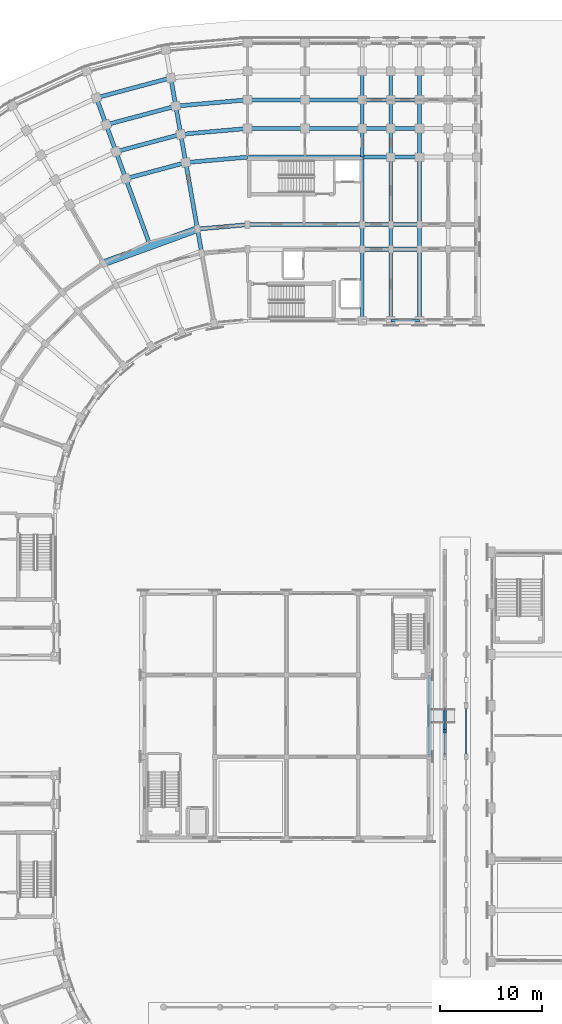
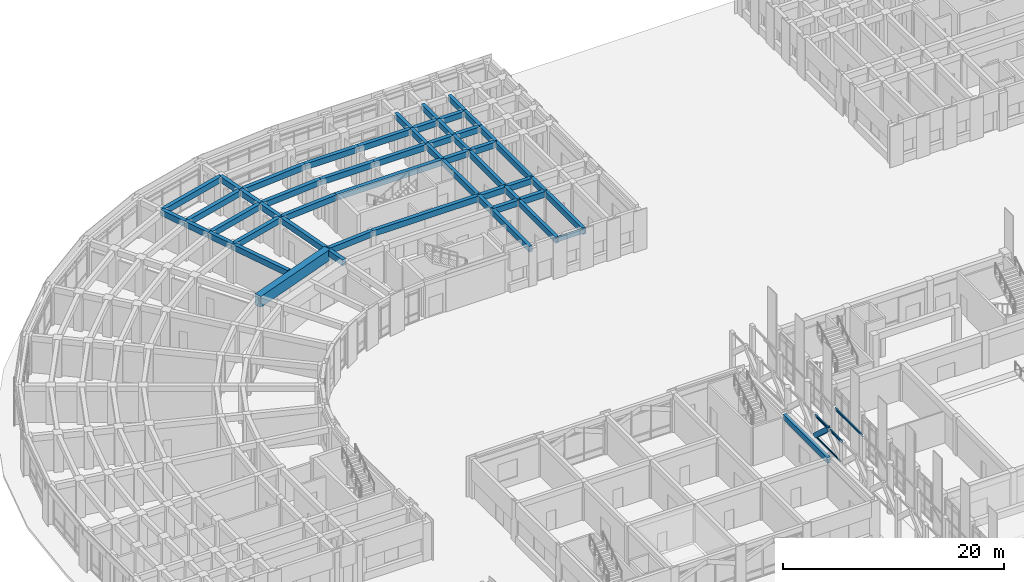
# One storey, part 41 of 135: 57 beams, 1 member.
"""IFC4 building model written with IfcOpenShell, lengths in metres."""

from ifc_helpers import new_model, si_unit, direction, frame, origin, origin_2d, place, context, subcontext, project, spatial, rectangle, hollow_circle, i_section, extrude, material, material_profile, profile_set, type_object, element, save


model = new_model("IFC4")

# Units and contexts
model_context = context("Model", 3, precision=1e-05, world=origin(), true_north=direction((0.0, 1.0)))
body_context = subcontext(model_context, "Body", "Model", "MODEL_VIEW")
ifc_project = project(units=[si_unit("LENGTHUNIT", "METRE"), si_unit("AREAUNIT", "SQUARE_METRE"), si_unit("VOLUMEUNIT", "CUBIC_METRE"), si_unit("PLANEANGLEUNIT", "RADIAN"), si_unit("MASSUNIT", "GRAM", prefix="KILO")], contexts=[model_context])

# Site, building, storey
site_placement = place(None, origin())
site = spatial("IfcSite", under=ifc_project, at=site_placement, CompositionType="ELEMENT")
building_placement = place(site_placement, origin())
building = spatial("IfcBuilding", under=site, at=building_placement, Name="Kiranvali Square Residences", CompositionType="ELEMENT")
storey_placement = place(building_placement, origin())
storey = spatial("IfcBuildingStorey", under=building, at=storey_placement, Name="L00", CompositionType="ELEMENT", Elevation=0.0)

# Beams
ifc_material_1 = material(Name="Concrete M40 (40 MPa)", Category="concrete")
ifc_material_profile_1 = material_profile(ifc_material_1, rectangle(XDim=0.35009765625, YDim=0.5, at=origin_2d()), Name="RC 350x500")
ifc_profile_set_1 = profile_set([ifc_material_profile_1], Name="Concrete M40 (40 MPa)")
beam_type_1 = type_object("IfcBeamType", Name="AR-M40-350x500", PredefinedType="USERDEFINED", material=ifc_profile_set_1)
beam_1_placement = place(storey_placement, frame((67.449951171875, 66.5, 5.4599609375), z_axis=(0.0, 0.736401324674, -0.676544964521), x_axis=(-1.0, 0.0, 0.0)))
element("IfcBeam", 1, at=beam_1_placement, inside=storey, type_object=beam_type_1, Name="Classical pointed Ottoman arch rib ARCH-ARC-GDN-W-05.2", ObjectType="ARCH RIB", PredefinedType="USERDEFINED", context=body_context, shape_type="SweptSolid", body=[
    extrude(rectangle(XDim=0.35009765625, YDim=0.5, at=origin_2d()), origin(), (0.0, 0.0, 1.0), 3.340576171875),
])
ifc_material_profile_2 = material_profile(ifc_material_1, rectangle(XDim=0.35009765625, YDim=0.60009765625, at=origin_2d()), Name="RC 350x600")
ifc_profile_set_2 = profile_set([ifc_material_profile_2], Name="Concrete M40 (40 MPa)")
beam_type_2 = type_object("IfcBeamType", Name="BM-M40-350x600", PredefinedType="BEAM", material=ifc_profile_set_2)
beam_2_placement = place(storey_placement, frame((66.0, 64.0, 3.97998046875), z_axis=(0.0, 1.0, 0.0), x_axis=(-1.0, 0.0, 0.0)))
element("IfcBeam", 2, at=beam_2_placement, inside=storey, type_object=beam_type_2, Name="L00 beam BM-NR-L00-Y4-1", PredefinedType="BEAM", context=body_context, shape_type="SweptSolid", body=[
    extrude(rectangle(XDim=0.35009765625, YDim=0.60009765625, at=origin_2d()), origin(), (0.0, 0.0, 1.0), 8.0),
])
ifc_material_profile_3 = material_profile(ifc_material_1, rectangle(XDim=0.35009765625, YDim=0.64990234375, at=origin_2d()), Name="RC 350x650")
ifc_profile_set_3 = profile_set([ifc_material_profile_3], Name="Concrete M40 (40 MPa)")
beam_type_3 = type_object("IfcBeamType", Name="BM-M40-350x650", PredefinedType="BEAM", material=ifc_profile_set_3)
beam_3_placement = place(storey_placement, frame((59.39990234375, 106.60009765625, 3.824951171875), z_axis=(0.0, 1.0, 0.0), x_axis=(-1.0, 0.0, 0.0)))
element("IfcBeam", 3, at=beam_3_placement, inside=storey, type_object=beam_type_3, Name="L00 beam BM-A-L00-A1T1-01", PredefinedType="BEAM", context=body_context, shape_type="SweptSolid", body=[
    extrude(rectangle(XDim=0.35009765625, YDim=0.64990234375, at=origin_2d()), origin(), (0.0, 0.0, 1.0), 7.0),
])
beam_4_placement = place(storey_placement, frame((59.39990234375, 113.60009765625, 3.824951171875), z_axis=(0.0, 1.0, 0.0), x_axis=(-1.0, 0.0, 0.0)))
element("IfcBeam", 4, at=beam_4_placement, inside=storey, type_object=beam_type_3, Name="L00 beam BM-A-L00-A1T1-12", PredefinedType="BEAM", context=body_context, shape_type="SweptSolid", body=[
    extrude(rectangle(XDim=0.35009765625, YDim=0.64990234375, at=origin_2d()), origin(), (0.0, 0.0, 1.0), 2.39990234375),
])
beam_5_placement = place(storey_placement, frame((59.39990234375, 116.0, 3.824951171875), z_axis=(0.0, 1.0, 0.0), x_axis=(-1.0, 0.0, 0.0)))
element("IfcBeam", 5, at=beam_5_placement, inside=storey, type_object=beam_type_3, Name="L00 beam BM-A-L00-A1T1-23", PredefinedType="BEAM", context=body_context, shape_type="SweptSolid", body=[
    extrude(rectangle(XDim=0.35009765625, YDim=0.64990234375, at=origin_2d()), origin(), (0.0, 0.0, 1.0), 6.60009765625),
])
beam_6_placement = place(storey_placement, frame((59.39990234375, 122.60009765625, 3.824951171875), z_axis=(0.0, 1.0, 0.0), x_axis=(-1.0, 0.0, 0.0)))
element("IfcBeam", 6, at=beam_6_placement, inside=storey, type_object=beam_type_3, Name="L00 beam BM-A-L00-A1T1-34", PredefinedType="BEAM", context=body_context, shape_type="SweptSolid", body=[
    extrude(rectangle(XDim=0.35009765625, YDim=0.64990234375, at=origin_2d()), origin(), (0.0, 0.0, 1.0), 2.7998046875),
])
for number, where, z_axis, x_axis, name in (
    (7, (59.39990234375, 125.39990234375, 3.824951171875), (0.0, 1.0, 0.0), (-1.0, 0.0, 0.0), "L00 beam BM-A-L00-A1T1-45"),
    (8, (59.39990234375, 128.199951171875, 3.824951171875), (0.0, 1.0, 0.0), (-1.0, 0.0, 0.0), "L00 beam BM-A-L00-A1T1-56"),
):
    element("IfcBeam", number, at=place(storey_placement, frame(where, z_axis=z_axis, x_axis=x_axis)), inside=storey, type_object=beam_type_3, Name=name, PredefinedType="BEAM", context=body_context, shape_type="SweptSolid", body=[
        extrude(rectangle(XDim=0.35009765625, YDim=0.64990234375, at=origin_2d()), origin(), (0.0, 0.0, 1.0), 2.800048828125),
    ])
beam_7_placement = place(storey_placement, frame((62.199951171875, 106.60009765625, 3.824951171875), z_axis=(0.0, 1.0, 0.0), x_axis=(-1.0, 0.0, 0.0)))
element("IfcBeam", 9, at=beam_7_placement, inside=storey, type_object=beam_type_3, Name="L00 beam BM-A-L00-A1T2-01", PredefinedType="BEAM", context=body_context, shape_type="SweptSolid", body=[
    extrude(rectangle(XDim=0.35009765625, YDim=0.64990234375, at=origin_2d()), origin(), (0.0, 0.0, 1.0), 7.0),
])
beam_8_placement = place(storey_placement, frame((62.199951171875, 113.60009765625, 3.824951171875), z_axis=(0.0, 1.0, 0.0), x_axis=(-1.0, 0.0, 0.0)))
element("IfcBeam", 10, at=beam_8_placement, inside=storey, type_object=beam_type_3, Name="L00 beam BM-A-L00-A1T2-12", PredefinedType="BEAM", context=body_context, shape_type="SweptSolid", body=[
    extrude(rectangle(XDim=0.35009765625, YDim=0.64990234375, at=origin_2d()), origin(), (0.0, 0.0, 1.0), 2.39990234375),
])
beam_9_placement = place(storey_placement, frame((62.199951171875, 116.0, 3.824951171875), z_axis=(0.0, 1.0, 0.0), x_axis=(-1.0, 0.0, 0.0)))
element("IfcBeam", 11, at=beam_9_placement, inside=storey, type_object=beam_type_3, Name="L00 beam BM-A-L00-A1T2-23", PredefinedType="BEAM", context=body_context, shape_type="SweptSolid", body=[
    extrude(rectangle(XDim=0.35009765625, YDim=0.64990234375, at=origin_2d()), origin(), (0.0, 0.0, 1.0), 6.60009765625),
])
beam_10_placement = place(storey_placement, frame((62.199951171875, 122.60009765625, 3.824951171875), z_axis=(0.0, 1.0, 0.0), x_axis=(-1.0, 0.0, 0.0)))
element("IfcBeam", 12, at=beam_10_placement, inside=storey, type_object=beam_type_3, Name="L00 beam BM-A-L00-A1T2-34", PredefinedType="BEAM", context=body_context, shape_type="SweptSolid", body=[
    extrude(rectangle(XDim=0.35009765625, YDim=0.64990234375, at=origin_2d()), origin(), (0.0, 0.0, 1.0), 2.7998046875),
])
for number, where, z_axis, x_axis, name in (
    (13, (62.199951171875, 125.39990234375, 3.824951171875), (0.0, 1.0, 0.0), (-1.0, 0.0, 0.0), "L00 beam BM-A-L00-A1T2-45"),
    (14, (62.199951171875, 128.199951171875, 3.824951171875), (0.0, 1.0, 0.0), (-1.0, 0.0, 0.0), "L00 beam BM-A-L00-A1T2-56"),
):
    element("IfcBeam", number, at=place(storey_placement, frame(where, z_axis=z_axis, x_axis=x_axis)), inside=storey, type_object=beam_type_3, Name=name, PredefinedType="BEAM", context=body_context, shape_type="SweptSolid", body=[
        extrude(rectangle(XDim=0.35009765625, YDim=0.64990234375, at=origin_2d()), origin(), (0.0, 0.0, 1.0), 2.800048828125),
    ])
beam_11_placement = place(storey_placement, frame((65.0, 106.60009765625, 3.824951171875), z_axis=(0.0, 1.0, 0.0), x_axis=(-1.0, 0.0, 0.0)))
element("IfcBeam", 15, at=beam_11_placement, inside=storey, type_object=beam_type_3, Name="L00 beam BM-A-L00-A1T3-01", PredefinedType="BEAM", context=body_context, shape_type="SweptSolid", body=[
    extrude(rectangle(XDim=0.35009765625, YDim=0.64990234375, at=origin_2d()), origin(), (0.0, 0.0, 1.0), 7.0),
])
beam_12_placement = place(storey_placement, frame((65.0, 113.60009765625, 3.824951171875), z_axis=(0.0, 1.0, 0.0), x_axis=(-1.0, 0.0, 0.0)))
element("IfcBeam", 16, at=beam_12_placement, inside=storey, type_object=beam_type_3, Name="L00 beam BM-A-L00-A1T3-12", PredefinedType="BEAM", context=body_context, shape_type="SweptSolid", body=[
    extrude(rectangle(XDim=0.35009765625, YDim=0.64990234375, at=origin_2d()), origin(), (0.0, 0.0, 1.0), 2.39990234375),
])
beam_13_placement = place(storey_placement, frame((65.0, 116.0, 3.824951171875), z_axis=(0.0, 1.0, 0.0), x_axis=(-1.0, 0.0, 0.0)))
element("IfcBeam", 17, at=beam_13_placement, inside=storey, type_object=beam_type_3, Name="L00 beam BM-A-L00-A1T3-23", PredefinedType="BEAM", context=body_context, shape_type="SweptSolid", body=[
    extrude(rectangle(XDim=0.35009765625, YDim=0.64990234375, at=origin_2d()), origin(), (0.0, 0.0, 1.0), 6.60009765625),
])
beam_14_placement = place(storey_placement, frame((65.0, 122.60009765625, 3.824951171875), z_axis=(0.0, 1.0, 0.0), x_axis=(-1.0, 0.0, 0.0)))
element("IfcBeam", 18, at=beam_14_placement, inside=storey, type_object=beam_type_3, Name="L00 beam BM-A-L00-A1T3-34", PredefinedType="BEAM", context=body_context, shape_type="SweptSolid", body=[
    extrude(rectangle(XDim=0.35009765625, YDim=0.64990234375, at=origin_2d()), origin(), (0.0, 0.0, 1.0), 2.7998046875),
])
for number, where, z_axis, x_axis, name in (
    (19, (65.0, 125.39990234375, 3.824951171875), (0.0, 1.0, 0.0), (-1.0, 0.0, 0.0), "L00 beam BM-A-L00-A1T3-45"),
    (20, (65.0, 128.199951171875, 3.824951171875), (0.0, 1.0, 0.0), (-1.0, 0.0, 0.0), "L00 beam BM-A-L00-A1T3-56"),
):
    element("IfcBeam", number, at=place(storey_placement, frame(where, z_axis=z_axis, x_axis=x_axis)), inside=storey, type_object=beam_type_3, Name=name, PredefinedType="BEAM", context=body_context, shape_type="SweptSolid", body=[
        extrude(rectangle(XDim=0.35009765625, YDim=0.64990234375, at=origin_2d()), origin(), (0.0, 0.0, 1.0), 2.800048828125),
    ])
ifc_material_2 = material(Name="Concrete M45 (45 MPa)", Category="concrete")
ifc_material_profile_4 = material_profile(ifc_material_2, rectangle(XDim=0.39990234375, YDim=0.64990234375, at=origin_2d()), Name="RC 400x650")
ifc_profile_set_4 = profile_set([ifc_material_profile_4], Name="Concrete M45 (45 MPa)")
beam_type_4 = type_object("IfcBeamType", Name="BM-M45-400x650", PredefinedType="BEAM", material=ifc_profile_set_4)
beam_15_placement = place(storey_placement, frame((48.199951171875, 116.0, 3.824951171875), z_axis=(-0.996193663584, -0.087167566415, 0.0), x_axis=(0.087167566415, -0.996193663584, 0.0)))
element("IfcBeam", 21, at=beam_15_placement, inside=storey, type_object=beam_type_4, Name="L00 beam BM-A-L00-C00-R2", PredefinedType="BEAM", context=body_context, shape_type="SweptSolid", body=[
    extrude(rectangle(XDim=0.39990234375, YDim=0.64990234375, at=origin_2d()), origin(), (0.0, 0.0, 1.0), 4.91552734375),
])
beam_16_placement = place(storey_placement, frame((48.199951171875, 122.60009765625, 3.824951171875), z_axis=(-0.996193018494, -0.087174938512, 0.0), x_axis=(0.087174938512, -0.996193018494, 0.0)))
element("IfcBeam", 22, at=beam_16_placement, inside=storey, type_object=beam_type_4, Name="L00 beam BM-A-L00-C00-R3", PredefinedType="BEAM", context=body_context, shape_type="SweptSolid", body=[
    extrude(rectangle(XDim=0.39990234375, YDim=0.64990234375, at=origin_2d()), origin(), (0.0, 0.0, 1.0), 6.066162109375),
])
beam_17_placement = place(storey_placement, frame((48.199951171875, 125.39990234375, 3.824951171875), z_axis=(-0.996196991902, -0.0871295204, 0.0), x_axis=(0.0871295204, -0.996196991902, 0.0)))
element("IfcBeam", 23, at=beam_17_placement, inside=storey, type_object=beam_type_4, Name="L00 beam BM-A-L00-C00-R4", PredefinedType="BEAM", context=body_context, shape_type="SweptSolid", body=[
    extrude(rectangle(XDim=0.39990234375, YDim=0.64990234375, at=origin_2d()), origin(), (0.0, 0.0, 1.0), 6.553955078125),
])
beam_18_placement = place(storey_placement, frame((48.199951171875, 128.199951171875, 3.824951171875), z_axis=(-0.996194658198, -0.087156198737, 0.0), x_axis=(0.087156198737, -0.996194658198, 0.0)))
element("IfcBeam", 24, at=beam_18_placement, inside=storey, type_object=beam_type_4, Name="L00 beam BM-A-L00-C00-R5", PredefinedType="BEAM", context=body_context, shape_type="SweptSolid", body=[
    extrude(rectangle(XDim=0.39990234375, YDim=0.64990234375, at=origin_2d()), origin(), (0.0, 0.0, 1.0), 7.042236328125),
])
beam_19_placement = place(storey_placement, frame((42.156982421875, 122.0712890625, 3.824951171875), z_axis=(-0.965923618901, -0.258827283048, 0.0), x_axis=(0.258827283048, -0.965923618901, 0.0)))
element("IfcBeam", 25, at=beam_19_placement, inside=storey, type_object=beam_type_4, Name="L00 beam BM-A-L00-C01-R3", PredefinedType="BEAM", context=body_context, shape_type="SweptSolid", body=[
    extrude(rectangle(XDim=0.39990234375, YDim=0.64990234375, at=origin_2d()), origin(), (0.0, 0.0, 1.0), 6.066162109375),
])
beam_20_placement = place(storey_placement, frame((41.6708984375, 124.828857421875, 3.824951171875), z_axis=(-0.965918287583, -0.258847178297, 0.0), x_axis=(0.258847178297, -0.965918287583, 0.0)))
element("IfcBeam", 26, at=beam_20_placement, inside=storey, type_object=beam_type_4, Name="L00 beam BM-A-L00-C01-R4", PredefinedType="BEAM", context=body_context, shape_type="SweptSolid", body=[
    extrude(rectangle(XDim=0.39990234375, YDim=0.64990234375, at=origin_2d()), origin(), (0.0, 0.0, 1.0), 6.55419921875),
])
beam_21_placement = place(storey_placement, frame((41.1845703125, 127.586181640625, 3.824951171875), z_axis=(-0.965931029817, -0.258799624492, 0.0), x_axis=(0.258799624492, -0.965931029817, 0.0)))
element("IfcBeam", 27, at=beam_21_placement, inside=storey, type_object=beam_type_4, Name="L00 beam BM-A-L00-C01-R5", PredefinedType="BEAM", context=body_context, shape_type="SweptSolid", body=[
    extrude(rectangle(XDim=0.39990234375, YDim=0.64990234375, at=origin_2d()), origin(), (0.0, 0.0, 1.0), 7.042236328125),
])
beam_22_placement = place(storey_placement, frame((40.698486328125, 130.34375, 3.824951171875), z_axis=(-0.965925909693, -0.258818733833, 0.0), x_axis=(0.258818733833, -0.965925909693, 0.0)))
element("IfcBeam", 28, at=beam_22_placement, inside=storey, type_object=beam_type_4, Name="L00 beam BM-A-L00-C01-R6", PredefinedType="BEAM", context=body_context, shape_type="SweptSolid", body=[
    extrude(rectangle(XDim=0.39990234375, YDim=0.64990234375, at=origin_2d()), origin(), (0.0, 0.0, 1.0), 7.5302734375),
])
beam_23_placement = place(storey_placement, frame((43.719970703125, 113.2080078125, 3.824951171875), z_axis=(-0.173646056486, 0.984808127031, 0.0), x_axis=(-0.984808127031, -0.173646056486, 0.0)))
element("IfcBeam", 29, at=beam_23_placement, inside=storey, type_object=beam_type_4, Name="L00 beam BM-A-L00-RAD01-12", PredefinedType="BEAM", context=body_context, shape_type="SweptSolid", body=[
    extrude(rectangle(XDim=0.39990234375, YDim=0.64990234375, at=origin_2d()), origin(), (0.0, 0.0, 1.0), 2.39990234375),
])
beam_24_placement = place(storey_placement, frame((43.30322265625, 115.571533203125, 3.824951171875), z_axis=(-0.173671381499, 0.984803661269, 0.0), x_axis=(-0.984803661269, -0.173671381499, 0.0)))
element("IfcBeam", 30, at=beam_24_placement, inside=storey, type_object=beam_type_4, Name="L00 beam BM-A-L00-RAD01-23", PredefinedType="BEAM", context=body_context, shape_type="SweptSolid", body=[
    extrude(rectangle(XDim=0.39990234375, YDim=0.64990234375, at=origin_2d()), origin(), (0.0, 0.0, 1.0), 6.60009765625),
])
beam_25_placement = place(storey_placement, frame((42.156982421875, 122.0712890625, 3.824951171875), z_axis=(-0.173596320392, 0.984816895441, 0.0), x_axis=(-0.984816895441, -0.173596320392, 0.0)))
element("IfcBeam", 31, at=beam_25_placement, inside=storey, type_object=beam_type_4, Name="L00 beam BM-A-L00-RAD01-34", PredefinedType="BEAM", context=body_context, shape_type="SweptSolid", body=[
    extrude(rectangle(XDim=0.39990234375, YDim=0.64990234375, at=origin_2d()), origin(), (0.0, 0.0, 1.0), 2.800048828125),
])
beam_26_placement = place(storey_placement, frame((41.6708984375, 124.828857421875, 3.824951171875), z_axis=(-0.173695795656, 0.984799355489, 0.0), x_axis=(-0.984799355489, -0.173695795656, 0.0)))
element("IfcBeam", 32, at=beam_26_placement, inside=storey, type_object=beam_type_4, Name="L00 beam BM-A-L00-RAD01-45", PredefinedType="BEAM", context=body_context, shape_type="SweptSolid", body=[
    extrude(rectangle(XDim=0.39990234375, YDim=0.64990234375, at=origin_2d()), origin(), (0.0, 0.0, 1.0), 2.7998046875),
])
beam_27_placement = place(storey_placement, frame((41.1845703125, 127.586181640625, 3.824951171875), z_axis=(-0.173596320392, 0.984816895441, 0.0), x_axis=(-0.984816895441, -0.173596320392, 0.0)))
element("IfcBeam", 33, at=beam_27_placement, inside=storey, type_object=beam_type_4, Name="L00 beam BM-A-L00-RAD01-56", PredefinedType="BEAM", context=body_context, shape_type="SweptSolid", body=[
    extrude(rectangle(XDim=0.39990234375, YDim=0.64990234375, at=origin_2d()), origin(), (0.0, 0.0, 1.0), 2.800048828125),
])
beam_28_placement = place(storey_placement, frame((38.554931640625, 114.29931640625, 3.824951171875), z_axis=(-0.342022238372, 0.939691858249, 0.0), x_axis=(-0.939691858249, -0.342022238372, 0.0)))
element("IfcBeam", 34, at=beam_28_placement, inside=storey, type_object=beam_type_4, Name="L00 beam BM-A-L00-RAD02-23", PredefinedType="BEAM", context=body_context, shape_type="SweptSolid", body=[
    extrude(rectangle(XDim=0.39990234375, YDim=0.64990234375, at=origin_2d()), origin(), (0.0, 0.0, 1.0), 6.599853515625),
])
beam_29_placement = place(storey_placement, frame((36.297607421875, 120.501220703125, 3.824951171875), z_axis=(-0.341981089711, 0.93970683422, 0.0), x_axis=(-0.93970683422, -0.341981089711, 0.0)))
element("IfcBeam", 35, at=beam_29_placement, inside=storey, type_object=beam_type_4, Name="L00 beam BM-A-L00-RAD02-34", PredefinedType="BEAM", context=body_context, shape_type="SweptSolid", body=[
    extrude(rectangle(XDim=0.39990234375, YDim=0.64990234375, at=origin_2d()), origin(), (0.0, 0.0, 1.0), 2.7998046875),
])
beam_30_placement = place(storey_placement, frame((35.340087890625, 123.13232421875, 3.824951171875), z_axis=(-0.342030060398, 0.939689011208, 0.0), x_axis=(-0.939689011208, -0.342030060398, 0.0)))
element("IfcBeam", 36, at=beam_30_placement, inside=storey, type_object=beam_type_4, Name="L00 beam BM-A-L00-RAD02-45", PredefinedType="BEAM", context=body_context, shape_type="SweptSolid", body=[
    extrude(rectangle(XDim=0.39990234375, YDim=0.64990234375, at=origin_2d()), origin(), (0.0, 0.0, 1.0), 2.80029296875),
])
beam_31_placement = place(storey_placement, frame((34.38232421875, 125.763671875, 3.824951171875), z_axis=(-0.341981089711, 0.93970683422, 0.0), x_axis=(-0.93970683422, -0.341981089711, 0.0)))
element("IfcBeam", 37, at=beam_31_placement, inside=storey, type_object=beam_type_4, Name="L00 beam BM-A-L00-RAD02-56", PredefinedType="BEAM", context=body_context, shape_type="SweptSolid", body=[
    extrude(rectangle(XDim=0.39990234375, YDim=0.64990234375, at=origin_2d()), origin(), (0.0, 0.0, 1.0), 2.7998046875),
])
for number, where, z_axis, x_axis, name in (
    (38, (59.39990234375, 113.60009765625, 3.824951171875), (1.0, 0.0, 0.0), (0.0, 1.0, 0.0), "L00 beam BM-A-L00-A1U1-R1"),
    (39, (62.199951171875, 113.60009765625, 3.824951171875), (1.0, 0.0, 0.0), (0.0, 1.0, 0.0), "L00 beam BM-A-L00-A1U2-R1"),
):
    element("IfcBeam", number, at=place(storey_placement, frame(where, z_axis=z_axis, x_axis=x_axis)), inside=storey, type_object=beam_type_4, Name=name, PredefinedType="BEAM", context=body_context, shape_type="SweptSolid", body=[
        extrude(rectangle(XDim=0.39990234375, YDim=0.64990234375, at=origin_2d()), origin(), (0.0, 0.0, 1.0), 2.800048828125),
    ])
beam_32_placement = place(storey_placement, frame((48.199951171875, 116.0, 3.824951171875), z_axis=(1.0, 0.0, 0.0), x_axis=(0.0, 1.0, 0.0)))
element("IfcBeam", 40, at=beam_32_placement, inside=storey, type_object=beam_type_4, Name="L00 beam BM-A-L00-A1U0-R2", PredefinedType="BEAM", context=body_context, shape_type="SweptSolid", body=[
    extrude(rectangle(XDim=0.39990234375, YDim=0.64990234375, at=origin_2d()), origin(), (0.0, 0.0, 1.0), 11.199951171875),
])
for number, where, z_axis, x_axis, name in (
    (41, (59.39990234375, 116.0, 3.824951171875), (1.0, 0.0, 0.0), (0.0, 1.0, 0.0), "L00 beam BM-A-L00-A1U1-R2"),
    (42, (62.199951171875, 116.0, 3.824951171875), (1.0, 0.0, 0.0), (0.0, 1.0, 0.0), "L00 beam BM-A-L00-A1U2-R2"),
):
    element("IfcBeam", number, at=place(storey_placement, frame(where, z_axis=z_axis, x_axis=x_axis)), inside=storey, type_object=beam_type_4, Name=name, PredefinedType="BEAM", context=body_context, shape_type="SweptSolid", body=[
        extrude(rectangle(XDim=0.39990234375, YDim=0.64990234375, at=origin_2d()), origin(), (0.0, 0.0, 1.0), 2.800048828125),
    ])
beam_33_placement = place(storey_placement, frame((48.199951171875, 122.60009765625, 3.824951171875), z_axis=(1.0, 0.0, 0.0), x_axis=(0.0, 1.0, 0.0)))
element("IfcBeam", 43, at=beam_33_placement, inside=storey, type_object=beam_type_4, Name="L00 beam BM-A-L00-A1U0-R3", PredefinedType="BEAM", context=body_context, shape_type="SweptSolid", body=[
    extrude(rectangle(XDim=0.39990234375, YDim=0.64990234375, at=origin_2d()), origin(), (0.0, 0.0, 1.0), 11.199951171875),
])
for number, where, z_axis, x_axis, name in (
    (44, (59.39990234375, 122.60009765625, 3.824951171875), (1.0, 0.0, 0.0), (0.0, 1.0, 0.0), "L00 beam BM-A-L00-A1U1-R3"),
    (45, (62.199951171875, 122.60009765625, 3.824951171875), (1.0, 0.0, 0.0), (0.0, 1.0, 0.0), "L00 beam BM-A-L00-A1U2-R3"),
):
    element("IfcBeam", number, at=place(storey_placement, frame(where, z_axis=z_axis, x_axis=x_axis)), inside=storey, type_object=beam_type_4, Name=name, PredefinedType="BEAM", context=body_context, shape_type="SweptSolid", body=[
        extrude(rectangle(XDim=0.39990234375, YDim=0.64990234375, at=origin_2d()), origin(), (0.0, 0.0, 1.0), 2.800048828125),
    ])
beam_34_placement = place(storey_placement, frame((48.199951171875, 125.39990234375, 3.824951171875), z_axis=(1.0, 0.0, 0.0), x_axis=(0.0, 1.0, 0.0)))
element("IfcBeam", 46, at=beam_34_placement, inside=storey, type_object=beam_type_4, Name="L00 beam BM-A-L00-A1U0-R4", PredefinedType="BEAM", context=body_context, shape_type="SweptSolid", body=[
    extrude(rectangle(XDim=0.39990234375, YDim=0.64990234375, at=origin_2d()), origin(), (0.0, 0.0, 1.0), 5.60009765625),
])
beam_35_placement = place(storey_placement, frame((53.800048828125, 125.39990234375, 3.824951171875), z_axis=(1.0, 0.0, 0.0), x_axis=(0.0, 1.0, 0.0)))
element("IfcBeam", 47, at=beam_35_placement, inside=storey, type_object=beam_type_4, Name="L00 beam BM-A-L00-A1U1-R4", PredefinedType="BEAM", context=body_context, shape_type="SweptSolid", body=[
    extrude(rectangle(XDim=0.39990234375, YDim=0.64990234375, at=origin_2d()), origin(), (0.0, 0.0, 1.0), 5.599853515625),
])
for number, where, z_axis, x_axis, name in (
    (48, (59.39990234375, 125.39990234375, 3.824951171875), (1.0, 0.0, 0.0), (0.0, 1.0, 0.0), "L00 beam BM-A-L00-A1U2-R4"),
    (49, (62.199951171875, 125.39990234375, 3.824951171875), (1.0, 0.0, 0.0), (0.0, 1.0, 0.0), "L00 beam BM-A-L00-A1U3-R4"),
):
    element("IfcBeam", number, at=place(storey_placement, frame(where, z_axis=z_axis, x_axis=x_axis)), inside=storey, type_object=beam_type_4, Name=name, PredefinedType="BEAM", context=body_context, shape_type="SweptSolid", body=[
        extrude(rectangle(XDim=0.39990234375, YDim=0.64990234375, at=origin_2d()), origin(), (0.0, 0.0, 1.0), 2.800048828125),
    ])
beam_36_placement = place(storey_placement, frame((48.199951171875, 128.199951171875, 3.824951171875), z_axis=(1.0, 0.0, 0.0), x_axis=(0.0, 1.0, 0.0)))
element("IfcBeam", 50, at=beam_36_placement, inside=storey, type_object=beam_type_4, Name="L00 beam BM-A-L00-A1U0-R5", PredefinedType="BEAM", context=body_context, shape_type="SweptSolid", body=[
    extrude(rectangle(XDim=0.39990234375, YDim=0.64990234375, at=origin_2d()), origin(), (0.0, 0.0, 1.0), 5.60009765625),
])
beam_37_placement = place(storey_placement, frame((53.800048828125, 128.199951171875, 3.824951171875), z_axis=(1.0, 0.0, 0.0), x_axis=(0.0, 1.0, 0.0)))
element("IfcBeam", 51, at=beam_37_placement, inside=storey, type_object=beam_type_4, Name="L00 beam BM-A-L00-A1U1-R5", PredefinedType="BEAM", context=body_context, shape_type="SweptSolid", body=[
    extrude(rectangle(XDim=0.39990234375, YDim=0.64990234375, at=origin_2d()), origin(), (0.0, 0.0, 1.0), 5.599853515625),
])
for number, where, z_axis, x_axis, name in (
    (52, (59.39990234375, 128.199951171875, 3.824951171875), (1.0, 0.0, 0.0), (0.0, 1.0, 0.0), "L00 beam BM-A-L00-A1U2-R5"),
    (53, (62.199951171875, 128.199951171875, 3.824951171875), (1.0, 0.0, 0.0), (0.0, 1.0, 0.0), "L00 beam BM-A-L00-A1U3-R5"),
):
    element("IfcBeam", number, at=place(storey_placement, frame(where, z_axis=z_axis, x_axis=x_axis)), inside=storey, type_object=beam_type_4, Name=name, PredefinedType="BEAM", context=body_context, shape_type="SweptSolid", body=[
        extrude(rectangle(XDim=0.39990234375, YDim=0.64990234375, at=origin_2d()), origin(), (0.0, 0.0, 1.0), 2.800048828125),
    ])

# Member
ifc_material_3 = material(Name="Structural steel E350", Category="steel")
ifc_material_profile_5 = material_profile(ifc_material_3, hollow_circle(Radius=0.08251953125, WallThickness=0.00537109375, at=origin_2d()), Name="CHS 165.1x5.4")
ifc_profile_set_5 = profile_set([ifc_material_profile_5], Name="Structural steel E350")
member_type = type_object("IfcMemberType", Name="MEM-CHS165", PredefinedType="USERDEFINED", material=ifc_profile_set_5)
member_placement = place(storey_placement, frame((67.449951171875, 64.299072265625, 3.14990234375), z_axis=(0.0, 1.0, 0.0), x_axis=(-1.0, 0.0, 0.0)))
element("IfcMember", 54, at=member_placement, inside=storey, type_object=member_type, Name="Ottoman arch springing tie rod ARC-GDN-W-5", ObjectType="TIE ROD", PredefinedType="USERDEFINED", context=body_context, shape_type="SweptSolid", body=[
    extrude(hollow_circle(Radius=0.08251953125, WallThickness=0.00537109375, at=origin_2d()), origin(), (0.0, 0.0, 1.0), 4.427001953125),
])

# Beams
ifc_material_profile_6 = material_profile(ifc_material_3, i_section(OverallWidth=0.125, OverallDepth=0.25, WebThickness=0.0068359375, FlangeThickness=0.012451171875, at=origin_2d()), Name="ISMB 250")
ifc_profile_set_6 = profile_set([ifc_material_profile_6], Name="Structural steel E350")
beam_type_5 = type_object("IfcBeamType", Name="SBM-ISMB250", PredefinedType="JOIST", material=ifc_profile_set_6)
for number, where, z_axis, x_axis, name in (
    (55, (67.449951171875, 64.0, 5.43505859375), (0.0, 1.0, 0.0), (-1.0, 0.0, 0.0), "Colonnade entablature steel beam ARC-GDN-W-5"),
    (56, (69.550048828125, 64.0, 5.43505859375), (0.0, 1.0, 0.0), (-1.0, 0.0, 0.0), "Colonnade inner entablature steel beam ARC-GDN-W-5B"),
):
    element("IfcBeam", number, at=place(storey_placement, frame(where, z_axis=z_axis, x_axis=x_axis)), inside=storey, type_object=beam_type_5, Name=name, PredefinedType="JOIST", context=body_context, shape_type="SweptSolid", body=[
        extrude(i_section(OverallWidth=0.125, OverallDepth=0.25, WebThickness=0.0068359375, FlangeThickness=0.012451171875, at=origin_2d()), origin(), (0.0, 0.0, 1.0), 5.0),
    ])
ifc_material_profile_7 = material_profile(ifc_material_1, rectangle(XDim=0.25, YDim=0.449951171875, at=origin_2d()), Name="RC 250x450")
ifc_profile_set_7 = profile_set([ifc_material_profile_7], Name="Concrete M40 (40 MPa)")
beam_type_6 = type_object("IfcBeamType", Name="SPN-M40-250x450", PredefinedType="SPANDREL", material=ifc_profile_set_7)
beam_38_placement = place(storey_placement, frame((62.199951171875, 106.60009765625, 3.925048828125), z_axis=(1.0, 0.0, 0.0), x_axis=(0.0, 1.0, 0.0)))
element("IfcBeam", 57, at=beam_38_placement, inside=storey, type_object=beam_type_6, Name="L00 beam BM-A-L00-A1U2-R0", PredefinedType="SPANDREL", context=body_context, shape_type="SweptSolid", body=[
    extrude(rectangle(XDim=0.25, YDim=0.449951171875, at=origin_2d()), origin(), (0.0, 0.0, 1.0), 2.800048828125),
])
ifc_material_4 = material(Name="Concrete M50 (50 MPa)", Category="concrete")
ifc_material_profile_8 = material_profile(ifc_material_4, rectangle(XDim=0.699951171875, YDim=1.199951171875, at=origin_2d()), Name="RC 700x1200")
ifc_profile_set_8 = profile_set([ifc_material_profile_8], Name="Concrete M50 (50 MPa)")
beam_type_7 = type_object("IfcBeamType", Name="TG-M50-700x1200", PredefinedType="USERDEFINED", material=ifc_profile_set_8)
beam_39_placement = place(storey_placement, frame((43.30322265625, 115.571533203125, 3.550048828125), z_axis=(-0.939694398994, -0.342015257699, 0.0), x_axis=(0.342015257699, -0.939694398994, 0.0)))
element("IfcBeam", 58, at=beam_39_placement, inside=storey, type_object=beam_type_7, Name="Block A foyer transfer girder TG-R2", ObjectType="TRANSFER GIRDER", PredefinedType="USERDEFINED", context=body_context, shape_type="SweptSolid", body=[
    extrude(rectangle(XDim=0.699951171875, YDim=1.199951171875, at=origin_2d()), origin(), (0.0, 0.0, 1.0), 9.793701171875),
])

save(model, "model.ifc")
